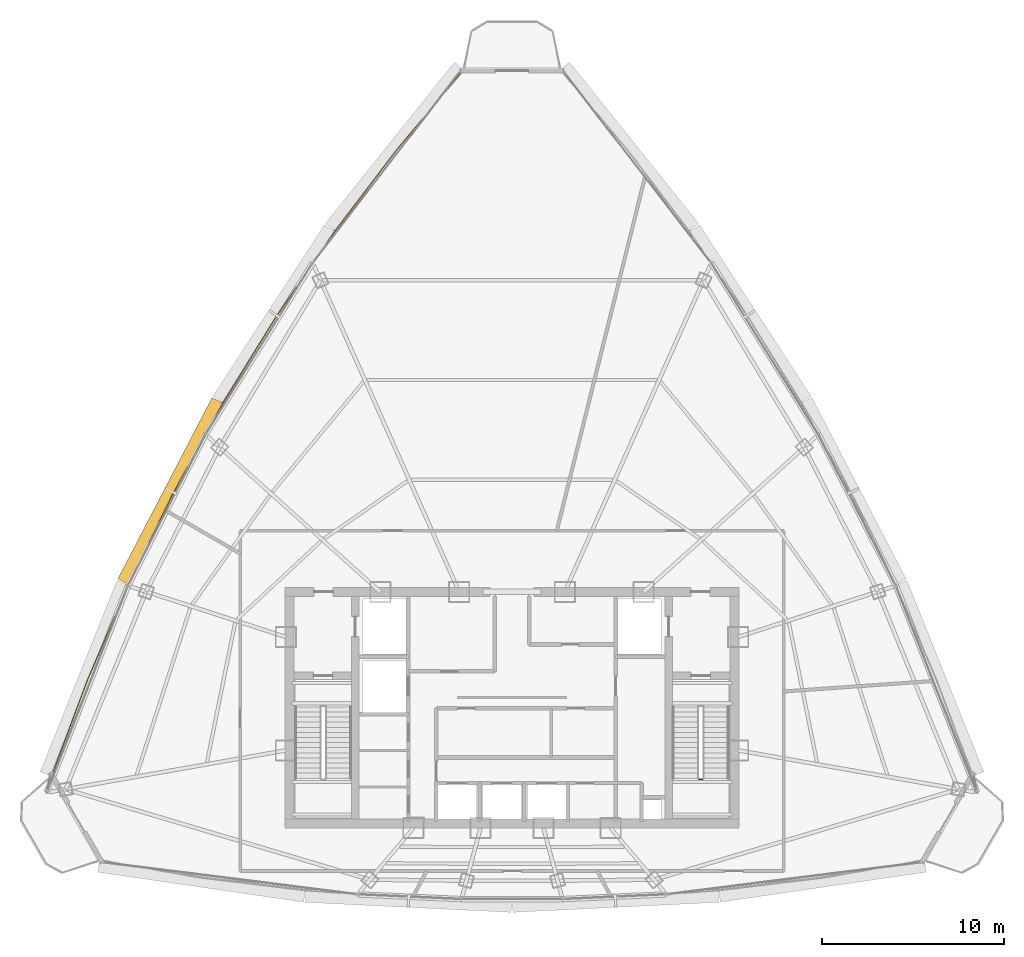
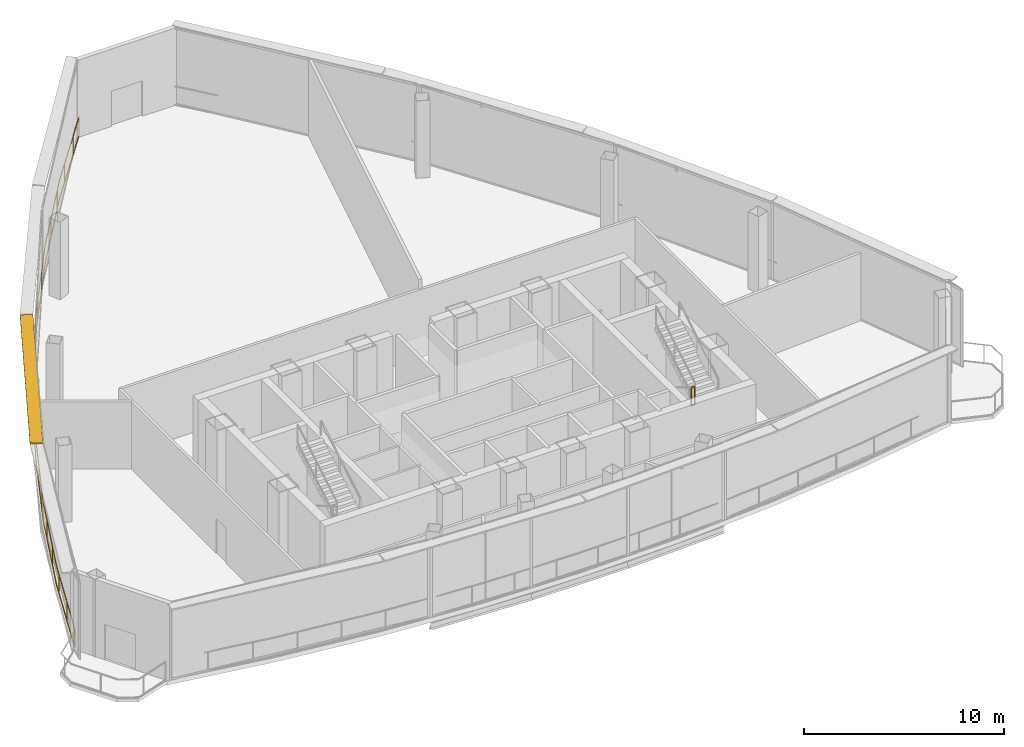
# One storey, part 27 of 29: 2 railings, 1 shading device.
"""IFC4 building model written with IfcOpenShell, lengths in metres."""

from ifc_helpers import new_model, si_unit, direction, frame, origin, origin_2d, place, context, subcontext, project, spatial, rectangle, extrude, source, transform, mapped, material, layer, layer_set, type_object, element, save


model = new_model("IFC4")

# Units and contexts
model_context = context("Model", 3, precision=1e-05, world=origin(), true_north=direction((0.0, 1.0)))
body_context = subcontext(model_context, "Body", "Model", "MODEL_VIEW")
ifc_project = project(units=[si_unit("LENGTHUNIT", "METRE"), si_unit("AREAUNIT", "SQUARE_METRE"), si_unit("VOLUMEUNIT", "CUBIC_METRE"), si_unit("PLANEANGLEUNIT", "RADIAN"), si_unit("MASSUNIT", "GRAM", prefix="KILO"), si_unit("THERMODYNAMICTEMPERATUREUNIT", "KELVIN"), si_unit("POWERUNIT", "WATT")], contexts=[model_context])

# Site, building, storey
site_placement = place(None, origin())
site = spatial("IfcSite", under=ifc_project, at=site_placement, CompositionType="ELEMENT")
building_placement = place(site_placement, origin())
building = spatial("IfcBuilding", under=site, at=building_placement, Name="Yunzhuo Pagoda Commons", CompositionType="ELEMENT")
storey_placement = place(building_placement, frame((0.0, 0.0, 366.760009765625)))
storey = spatial("IfcBuildingStorey", under=building, at=storey_placement, Name="L92", CompositionType="ELEMENT", Elevation=366.760009765625)

# Railings
ifc_material = material(Name="Anodized aluminium 6063-T6", Category="aluminium")
railing_type_1 = type_object("IfcRailingType", Name="GR-ST2 Stair Well Guardrail 1160", PredefinedType="GUARDRAIL", material=ifc_material)
railing_1_placement = place(storey_placement, frame((58.25, 29.929931640625, 2.5)))
element("IfcRailing", 1, at=railing_1_placement, inside=storey, type_object=railing_type_1, Name="L92 ST2 stair guard 2", PredefinedType="GUARDRAIL", context=body_context, shape_type="SweptSolid", body=[
    extrude(rectangle(XDim=0.048095703125, YDim=0.048095703125, at=origin_2d()), frame((0.0, 0.0, 1.1259765625), z_axis=(1.0, 0.0, 0.0), x_axis=(0.0, 1.0, 0.0)), (0.0, 0.0, 1.0), 0.199951171875),
    extrude(rectangle(XDim=0.048095703125, YDim=0.048095703125, at=origin_2d()), frame((0.0, 0.0, 0.02392578125), z_axis=(1.0, 0.0, 0.0), x_axis=(0.0, 1.0, 0.0)), (0.0, 0.0, 1.0), 0.199951171875),
    extrude(rectangle(XDim=0.0419921875, YDim=0.0419921875, at=origin_2d()), origin(), (0.0, 0.0, 1.0), 1.101806640625),
    extrude(rectangle(XDim=0.0419921875, YDim=0.0419921875, at=origin_2d()), frame((0.199951171875, 0.0, 0.0)), (0.0, 0.0, 1.0), 1.101806640625),
])
railing_type_2 = type_object("IfcRailingType", Name="RL-SIL1 Curtain-Wall Sill Safety Guardrail 1180", PredefinedType="GUARDRAIL", material=ifc_material)
railing_2_placement = place(storey_placement, frame((22.784912109375, 30.18701171875, 0.0)))
element("IfcRailing", 2, at=railing_2_placement, inside=storey, type_object=railing_type_2, Name="L92 curtain-wall sill safety rail 1", PredefinedType="GUARDRAIL", context=body_context, shape_type="SweptSolid", body=[
    extrude(rectangle(XDim=0.048095703125, YDim=0.048095703125, at=origin_2d()), frame((0.0, 0.0, 1.15576171875), z_axis=(0.350705807611, 0.936485684091, 0.0), x_axis=(-0.936485684091, 0.350705807611, 0.0)), (0.0, 0.0, 1.0), 5.573974609375),
    extrude(rectangle(XDim=0.048095703125, YDim=0.048095703125, at=origin_2d()), frame((0.0, 0.0, 0.02392578125), z_axis=(0.350705807611, 0.936485684091, 0.0), x_axis=(-0.936485684091, 0.350705807611, 0.0)), (0.0, 0.0, 1.0), 5.573974609375),
    extrude(rectangle(XDim=0.048095703125, YDim=0.048095703125, at=origin_2d()), frame((1.954833984375, 5.219970703125, 1.15576171875), z_axis=(0.395237697454, 0.91857888203, 0.0), x_axis=(-0.91857888203, 0.395237697454, 0.0)), (0.0, 0.0, 1.0), 5.652587890625),
    extrude(rectangle(XDim=0.048095703125, YDim=0.048095703125, at=origin_2d()), frame((1.954833984375, 5.219970703125, 0.02392578125), z_axis=(0.395237697454, 0.91857888203, 0.0), x_axis=(-0.91857888203, 0.395237697454, 0.0)), (0.0, 0.0, 1.0), 5.652587890625),
    extrude(rectangle(XDim=0.048095703125, YDim=0.048095703125, at=origin_2d()), frame((4.18896484375, 10.412353515625, 1.15576171875), z_axis=(0.439384485978, 0.898299100234, 0.0), x_axis=(-0.898299100234, 0.439384485978, 0.0)), (0.0, 0.0, 1.0), 5.625244140625),
    extrude(rectangle(XDim=0.048095703125, YDim=0.048095703125, at=origin_2d()), frame((4.18896484375, 10.412353515625, 0.02392578125), z_axis=(0.439384485978, 0.898299100234, 0.0), x_axis=(-0.898299100234, 0.439384485978, 0.0)), (0.0, 0.0, 1.0), 5.625244140625),
    extrude(rectangle(XDim=0.048095703125, YDim=0.048095703125, at=origin_2d()), frame((6.66064453125, 15.465576171875, 1.15576171875), z_axis=(0.482785214166, 0.875738794951, 0.0), x_axis=(-0.875738794951, 0.482785214166, 0.0)), (0.0, 0.0, 1.0), 5.612060546875),
    extrude(rectangle(XDim=0.048095703125, YDim=0.048095703125, at=origin_2d()), frame((6.66064453125, 15.465576171875, 0.02392578125), z_axis=(0.482785214166, 0.875738794951, 0.0), x_axis=(-0.875738794951, 0.482785214166, 0.0)), (0.0, 0.0, 1.0), 5.612060546875),
    extrude(rectangle(XDim=0.048095703125, YDim=0.048095703125, at=origin_2d()), frame((9.3701171875, 20.38037109375, 1.15576171875), z_axis=(0.52515291418, 0.851007882883, 0.0), x_axis=(-0.851007882883, 0.52515291418, 0.0)), (0.0, 0.0, 1.0), 5.61181640625),
    extrude(rectangle(XDim=0.048095703125, YDim=0.048095703125, at=origin_2d()), frame((9.3701171875, 20.38037109375, 0.02392578125), z_axis=(0.52515291418, 0.851007882883, 0.0), x_axis=(-0.851007882883, 0.52515291418, 0.0)), (0.0, 0.0, 1.0), 5.61181640625),
    extrude(rectangle(XDim=0.048095703125, YDim=0.048095703125, at=origin_2d()), frame((12.317138671875, 25.156005859375, 1.15576171875), z_axis=(0.566184343599, 0.824278647706, 0.0), x_axis=(-0.824278647706, 0.566184343599, 0.0)), (0.0, 0.0, 1.0), 5.62548828125),
    extrude(rectangle(XDim=0.048095703125, YDim=0.048095703125, at=origin_2d()), frame((12.317138671875, 25.156005859375, 0.02392578125), z_axis=(0.566184343599, 0.824278647706, 0.0), x_axis=(-0.824278647706, 0.566184343599, 0.0)), (0.0, 0.0, 1.0), 5.62548828125),
    extrude(rectangle(XDim=0.048095703125, YDim=0.048095703125, at=origin_2d()), frame((15.502197265625, 29.79296875, 1.15576171875), z_axis=(0.605500424009, 0.795844982723, 0.0), x_axis=(-0.795844982723, 0.605500424009, 0.0)), (0.0, 0.0, 1.0), 5.652587890625),
    extrude(rectangle(XDim=0.048095703125, YDim=0.048095703125, at=origin_2d()), frame((15.502197265625, 29.79296875, 0.02392578125), z_axis=(0.605500424009, 0.795844982723, 0.0), x_axis=(-0.795844982723, 0.605500424009, 0.0)), (0.0, 0.0, 1.0), 5.652587890625),
    extrude(rectangle(XDim=0.048095703125, YDim=0.048095703125, at=origin_2d()), frame((18.9248046875, 34.29150390625, 1.15576171875), z_axis=(0.643026748082, 0.765843718555, 0.0), x_axis=(-0.765843718555, 0.643026748082, 0.0)), (0.0, 0.0, 1.0), 5.575927734375),
    extrude(rectangle(XDim=0.048095703125, YDim=0.048095703125, at=origin_2d()), frame((18.9248046875, 34.29150390625, 0.02392578125), z_axis=(0.643026748082, 0.765843718555, 0.0), x_axis=(-0.765843718555, 0.643026748082, 0.0)), (0.0, 0.0, 1.0), 5.575927734375),
    extrude(rectangle(XDim=0.0419921875, YDim=0.0419921875, at=origin_2d()), origin(), (0.0, 0.0, 1.0), 1.1318359375),
    extrude(rectangle(XDim=0.0419921875, YDim=0.0419921875, at=origin_2d()), frame((0.841796875, 2.24755859375, 0.0)), (0.0, 0.0, 1.0), 1.1318359375),
    extrude(rectangle(XDim=0.0419921875, YDim=0.0419921875, at=origin_2d()), frame((1.683349609375, 4.4951171875, 0.0)), (0.0, 0.0, 1.0), 1.1318359375),
    extrude(rectangle(XDim=0.0419921875, YDim=0.0419921875, at=origin_2d()), frame((2.597412109375, 6.713623046875, 0.0)), (0.0, 0.0, 1.0), 1.1318359375),
    extrude(rectangle(XDim=0.0419921875, YDim=0.0419921875, at=origin_2d()), frame((3.546142578125, 8.918212890625, 0.0)), (0.0, 0.0, 1.0), 1.1318359375),
    extrude(rectangle(XDim=0.0419921875, YDim=0.0419921875, at=origin_2d()), frame((4.52880859375, 11.107177734375, 0.0)), (0.0, 0.0, 1.0), 1.1318359375),
    extrude(rectangle(XDim=0.0419921875, YDim=0.0419921875, at=origin_2d()), frame((5.583251953125, 13.262939453125, 0.0)), (0.0, 0.0, 1.0), 1.1318359375),
    extrude(rectangle(XDim=0.0419921875, YDim=0.0419921875, at=origin_2d()), frame((7.794189453125, 17.52197265625, 0.0)), (0.0, 0.0, 1.0), 1.1318359375),
    extrude(rectangle(XDim=0.0419921875, YDim=0.0419921875, at=origin_2d()), frame((8.952880859375, 19.62353515625, 0.0)), (0.0, 0.0, 1.0), 1.1318359375),
    extrude(rectangle(XDim=0.0419921875, YDim=0.0419921875, at=origin_2d()), frame((10.1767578125, 21.6875, 0.0)), (0.0, 0.0, 1.0), 1.1318359375),
    extrude(rectangle(XDim=0.0419921875, YDim=0.0419921875, at=origin_2d()), frame((11.43701171875, 23.729736328125, 0.0)), (0.0, 0.0, 1.0), 1.1318359375),
    extrude(rectangle(XDim=0.0419921875, YDim=0.0419921875, at=origin_2d()), frame((12.72705078125, 25.7529296875, 0.0)), (0.0, 0.0, 1.0), 1.1318359375),
    extrude(rectangle(XDim=0.0419921875, YDim=0.0419921875, at=origin_2d()), frame((14.0859375, 27.731201171875, 0.0)), (0.0, 0.0, 1.0), 1.1318359375),
    extrude(rectangle(XDim=0.0419921875, YDim=0.0419921875, at=origin_2d()), frame((16.89404296875, 31.622314453125, 0.0)), (0.0, 0.0, 1.0), 1.1318359375),
    extrude(rectangle(XDim=0.0419921875, YDim=0.0419921875, at=origin_2d()), frame((18.34716796875, 33.532470703125, 0.0)), (0.0, 0.0, 1.0), 1.1318359375),
    extrude(rectangle(XDim=0.0419921875, YDim=0.0419921875, at=origin_2d()), frame((19.854736328125, 35.39892578125, 0.0)), (0.0, 0.0, 1.0), 1.1318359375),
    extrude(rectangle(XDim=0.0419921875, YDim=0.0419921875, at=origin_2d()), frame((21.39794921875, 37.237060546875, 0.0)), (0.0, 0.0, 1.0), 1.1318359375),
    extrude(rectangle(XDim=0.0419921875, YDim=0.0419921875, at=origin_2d()), frame((22.51025390625, 38.561767578125, 0.0)), (0.0, 0.0, 1.0), 1.1318359375),
])

# Shading device
ifc_layer = layer(ifc_material, 0.080078125)
ifc_layer_set = layer_set([ifc_layer], Name="Anodized aluminium 6063-T6")
shading_device_type = type_object("IfcShadingDeviceType", Name="SH-SUN1 Pagoda Horizontal Sunshade Eave 650", PredefinedType="USERDEFINED", material=ifc_layer_set)
shared_shape = source(origin(), body_context, "Body", "SweptSolid", [
    extrude(rectangle(XDim=11.203857421875, YDim=0.64990234375, at=origin_2d()), origin(), (0.0, 0.0, 1.0), 0.080078125),
])
shading_device_placement = place(storey_placement, frame((29.2626953125, 45.739990234375, 4.639892578125), z_axis=(0.0, 0.0, 1.0), x_axis=(-0.461206683033, -0.88729273384, 0.0)))
element("IfcShadingDevice", 3, at=shading_device_placement, inside=storey, type_object=shading_device_type, Name="L92 horizontal pagoda sunshade eave F3.3", ObjectType="SUNSHADE", PredefinedType="USERDEFINED", context=body_context, shape_type="MappedRepresentation", body=[
    mapped(shared_shape, transform((0.0, 0.0, 0.0), scale=1.0)),
])

save(model, "model.ifc")
